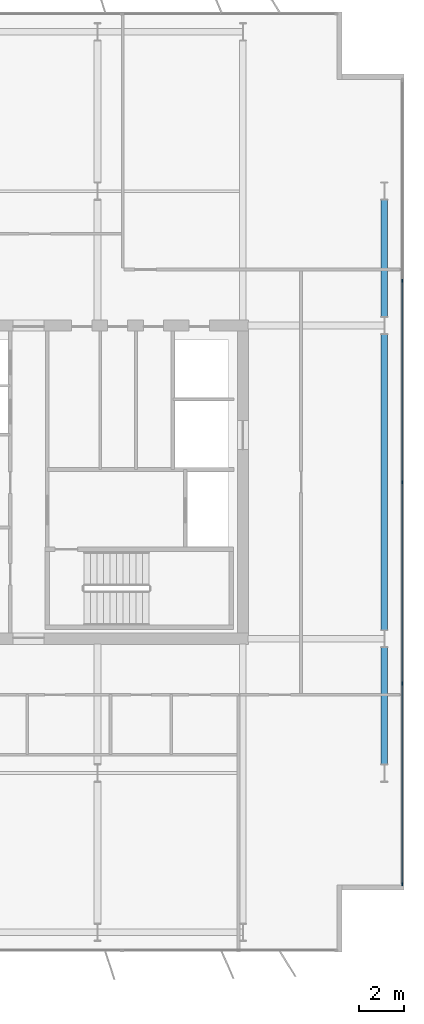
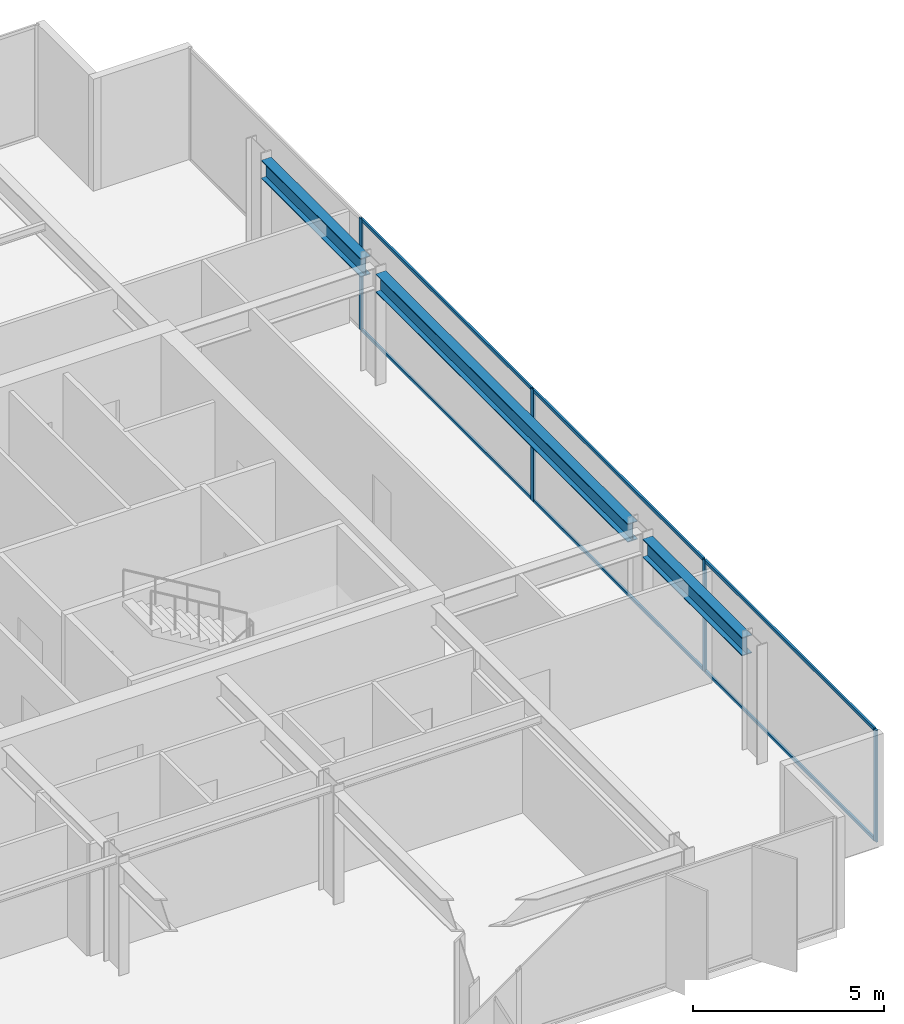
# One storey, part 14 of 23: 10 members, 3 beams, 1 element without a shape of its own.
"""IFC4 building model written with IfcOpenShell, lengths in metres."""

import ifcopenshell
import ifcopenshell.guid

model = None  # the IFC model being written
_history = None  # IfcOwnerHistory: only IFC2X3 demands one
_inside = {}  # id of a spatial element -> (the spatial element, [elements in it])
_under = {}  # id of a project, library or spatial element -> (it, [spatial elements below it])
_declared = {}  # id of a project -> (the project, [libraries it declares])
_typed = {}  # id of a type object -> (the type object, [elements of that type])
_made_of = {}  # id of a material, layer set ... -> (it, [elements and type objects made of it])


def new_model(schema):
    """Start an empty IFC model of exactly this schema.

    Asked for "IFC4X3", IfcOpenShell would pick the latest addendum, in which some entities
    have other attributes; the version numbers below select the first issue.
    IFC2X3 requires an IfcOwnerHistory on every rooted entity: one is made here for all.
    """
    global model, _history
    if schema == "IFC4X3":
        model = ifcopenshell.file(schema_version=(4, 3, 0, 0))
    else:
        model = ifcopenshell.file(schema=schema)
    _inside.clear()
    _under.clear()
    _declared.clear()
    _typed.clear()
    _made_of.clear()
    _history = None
    if model.schema == "IFC2X3":
        org = make("IfcOrganization", Name="unknown")
        user = make(
            "IfcPersonAndOrganization",
            ThePerson=make("IfcPerson", FamilyName="unknown"),
            TheOrganization=org,
        )
        app = make(
            "IfcApplication",
            ApplicationDeveloper=org,
            Version="unknown",
            ApplicationFullName="unknown",
            ApplicationIdentifier="unknown",
        )
        _history = make(
            "IfcOwnerHistory",
            OwningUser=user,
            OwningApplication=app,
            ChangeAction="ADDED",
            CreationDate=0,
        )
    return model


def make(cls, **values):
    """One entity of the class cls with the attributes given. An attribute that is None is left unset."""
    return model.create_entity(
        cls, **{name: value for name, value in values.items() if value is not None}
    )


def rooted(cls, **values):
    """An entity with a GlobalId (a new one), such as an element, a storey or a relation."""
    return make(cls, GlobalId=ifcopenshell.guid.new(), OwnerHistory=_history, **values)


def si_unit(unit_type, name, prefix=None):
    """IfcSIUnit, for example si_unit("LENGTHUNIT", "METRE", prefix="MILLI")."""
    return make("IfcSIUnit", UnitType=unit_type, Prefix=prefix, Name=name)


def assignment(units):
    """IfcUnitAssignment: the units of a project."""
    return None if units is None else make("IfcUnitAssignment", Units=units)


def point(xyz):
    """IfcCartesianPoint."""
    return None if xyz is None else make("IfcCartesianPoint", Coordinates=xyz)


def direction(xyz):
    """IfcDirection."""
    return None if xyz is None else make("IfcDirection", DirectionRatios=xyz)


def frame(location, z_axis=None, x_axis=None):
    """IfcAxis2Placement3D, a coordinate frame: its origin and axes. An axis left out is left unset."""
    return make(
        "IfcAxis2Placement3D",
        Location=point(location),
        Axis=direction(z_axis),
        RefDirection=direction(x_axis),
    )


def frame_2d(location, x_axis=None):
    """IfcAxis2Placement2D, a coordinate frame in the plane: its origin and x axis."""
    return make(
        "IfcAxis2Placement2D", Location=point(location), RefDirection=direction(x_axis)
    )


def origin():
    """The frame at (0, 0, 0) with its axes left unset."""
    return frame((0.0, 0.0, 0.0))


def origin_2d():
    """The frame at (0, 0) in the plane with its x axis left unset."""
    return frame_2d((0.0, 0.0))


def place(relative_to, where):
    """IfcLocalPlacement: puts the frame where relative to a parent placement (None: the world)."""
    return make(
        "IfcLocalPlacement", PlacementRelTo=relative_to, RelativePlacement=where
    )


def context(
    kind, dimensions, precision=None, world=None, true_north=None, identifier=None
):
    """IfcGeometricRepresentationContext, for example the 3D "Model" context."""
    return make(
        "IfcGeometricRepresentationContext",
        ContextIdentifier=identifier,
        ContextType=kind,
        CoordinateSpaceDimension=dimensions,
        Precision=precision,
        WorldCoordinateSystem=world,
        TrueNorth=true_north,
    )


def subcontext(parent, identifier, kind, view, scale=None):
    """IfcGeometricRepresentationSubContext, for example "Body" below "Model"."""
    return make(
        "IfcGeometricRepresentationSubContext",
        ContextIdentifier=identifier,
        ContextType=kind,
        ParentContext=parent,
        TargetScale=scale,
        TargetView=view,
    )


def project(units=None, contexts=None):
    """IfcProject with its units and contexts."""
    return rooted(
        "IfcProject",
        Name="project",
        RepresentationContexts=contexts,
        UnitsInContext=assignment(units),
    )


def spatial(cls, under=None, at=None, **own):
    """A site, building, storey or space (cls), placed at a placement, below another one or the project."""
    s = rooted(cls, ObjectPlacement=at, **own)
    if under is not None:
        _under.setdefault(under.id(), (under, []))[1].append(s)
    return s


def profile(cls, at=None, kind="AREA", **sizes):
    """A parametric profile (cls). Its sizes go by their IFC names, for example OverallWidth=200.0."""
    return make(cls, ProfileType=kind, Position=at, **sizes)


def rectangle(**sizes):
    """IfcRectangleProfileDef."""
    return profile("IfcRectangleProfileDef", **sizes)


def i_section(**sizes):
    """IfcIShapeProfileDef."""
    return profile("IfcIShapeProfileDef", **sizes)


def extrude(swept, where, along, depth):
    """IfcExtrudedAreaSolid: the profile swept, set in the frame where, extruded along a direction by depth."""
    return make(
        "IfcExtrudedAreaSolid",
        SweptArea=swept,
        Position=where,
        ExtrudedDirection=direction(along),
        Depth=depth,
    )


def shape(context_of_items, identifier, shape_type, items):
    """IfcShapeRepresentation: the items that make up one representation, for example the "Body"."""
    return make(
        "IfcShapeRepresentation",
        ContextOfItems=context_of_items,
        RepresentationIdentifier=identifier,
        RepresentationType=shape_type,
        Items=items,
    )


def material(Name=None, Category=None):
    """IfcMaterial."""
    return make("IfcMaterial", Name=Name, Category=Category)


def layer(
    of_material, thickness, ventilated=None, Name=None, Category=None, Priority=None
):
    """IfcMaterialLayer: one layer of a wall or slab, of a material (None: an air gap)."""
    return make(
        "IfcMaterialLayer",
        Material=of_material,
        LayerThickness=thickness,
        IsVentilated=ventilated,
        Name=Name,
        Category=Category,
        Priority=Priority,
    )


def layer_set(layers, Name=None):
    """IfcMaterialLayerSet."""
    return make("IfcMaterialLayerSet", MaterialLayers=layers, LayerSetName=Name)


def material_profile(
    of_material, cross_section, Name=None, Category=None, Priority=None
):
    """IfcMaterialProfile: a cross section and its material."""
    return make(
        "IfcMaterialProfile",
        Name=Name,
        Material=of_material,
        Profile=cross_section,
        Priority=Priority,
        Category=Category,
    )


def profile_set(profiles, Name=None, composite=None):
    """IfcMaterialProfileSet."""
    return make(
        "IfcMaterialProfileSet",
        Name=Name,
        MaterialProfiles=profiles,
        CompositeProfile=composite,
    )


def made_of(thing, what):
    """Note that an element or type object is made of a material, layer set ...; save() writes the relation."""
    if what is not None:
        _made_of.setdefault(what.id(), (what, []))[1].append(thing)
    return thing


def type_object(cls, material=None, **own):
    """A type object (cls), such as IfcWallType, which elements share."""
    return made_of(rooted(cls, **own), material)


def element(
    cls,
    number,
    at=None,
    inside=None,
    cuts=None,
    type_object=None,
    material=None,
    context=None,
    identifier="Body",
    shape_type=None,
    held_by="IfcProductDefinitionShape",
    body=None,
    shapes=None,
    **own,
):
    """One element of the class cls, such as IfcWall. Its Tag is "e" and its number.

    at: its placement. inside: the storey or other place that contains it. cuts: it is an
    opening in that element (IfcRelVoidsElement). A single representation is given by context,
    identifier, shape_type and body (its items); several are given by shapes. held_by: the class
    of the entity that holds the representations. save() writes the other relations.
    """
    e = rooted(cls, Tag="e%d" % number, ObjectPlacement=at, **own)
    if body is not None:
        shapes = [shape(context, identifier, shape_type, body)]
    if shapes is not None:
        e.Representation = make(held_by, Representations=shapes)
    if inside is not None:
        _inside.setdefault(inside.id(), (inside, []))[1].append(e)
    if cuts is not None:
        rooted(
            "IfcRelVoidsElement", RelatingBuildingElement=cuts, RelatedOpeningElement=e
        )
    if type_object is not None:
        _typed.setdefault(type_object.id(), (type_object, []))[1].append(e)
    return made_of(e, material)


def aggregate(whole, parts):
    """IfcRelAggregates: a whole, such as a stair, and the parts it consists of."""
    return rooted("IfcRelAggregates", RelatingObject=whole, RelatedObjects=parts)


def save(model, path):
    """Write the relations noted so far, then the file.

    IfcRelAggregates (storeys below a building ...), IfcRelContainedInSpatialStructure (elements
    in a storey), IfcRelDefinesByType, IfcRelAssociatesMaterial and IfcRelDeclares: one each for
    every whole, place, type object, material and project.
    """
    for whole, parts in _under.values():
        aggregate(whole, parts)
    for where, things in _inside.values():
        rooted(
            "IfcRelContainedInSpatialStructure",
            RelatedElements=things,
            RelatingStructure=where,
        )
    for kind, things in _typed.values():
        rooted("IfcRelDefinesByType", RelatedObjects=things, RelatingType=kind)
    for what, things in _made_of.values():
        rooted("IfcRelAssociatesMaterial", RelatedObjects=things, RelatingMaterial=what)
    for by, libraries in _declared.values():
        rooted("IfcRelDeclares", RelatingContext=by, RelatedDefinitions=libraries)
    model.write(path)


model = new_model("IFC4")

# Units and contexts
model_context = context("Model", 3, precision=1e-05, world=origin(), true_north=direction((0.0, 1.0)))
body_context = subcontext(model_context, "Body", "Model", "MODEL_VIEW")
ifc_project = project(units=[si_unit("LENGTHUNIT", "METRE"), si_unit("AREAUNIT", "SQUARE_METRE"), si_unit("VOLUMEUNIT", "CUBIC_METRE"), si_unit("PLANEANGLEUNIT", "RADIAN"), si_unit("MASSUNIT", "GRAM", prefix="KILO")], contexts=[model_context])

# Site, building, storey
site_placement = place(None, origin())
site = spatial("IfcSite", under=ifc_project, at=site_placement, CompositionType="ELEMENT")
building_placement = place(site_placement, origin())
building = spatial("IfcBuilding", under=site, at=building_placement, Name="Putna Gate Headquarters", CompositionType="ELEMENT")
storey_placement = place(building_placement, frame((0.0, 0.0, 217.60009765625)))
storey = spatial("IfcBuildingStorey", under=building, at=storey_placement, Name="L54", CompositionType="ELEMENT", Elevation=217.60009765625)

# Beams
ifc_material_1 = material(Name="Steel S355J2", Category="steel")
ifc_material_profile_1 = material_profile(ifc_material_1, i_section(OverallWidth=0.300048828125, OverallDepth=0.590087890625, WebThickness=0.012939453125, FlangeThickness=0.02490234375, at=origin_2d()), Name="Steel S355J2")
ifc_profile_set_1 = profile_set([ifc_material_profile_1], Name="Steel S355J2")
beam_type = type_object("IfcBeamType", Name="BM-SPAN-Z4-HEA600", PredefinedType="SPANDREL", material=ifc_profile_set_1)
beam_1_placement = place(storey_placement, frame((71.320068359375, 13.39501953125, 3.284912109375), z_axis=(0.0, 1.0, 0.0), x_axis=(-1.0, 0.0, 0.0)))
element("IfcBeam", 1, at=beam_1_placement, inside=storey, type_object=beam_type, Name="L54 E End Spandrel 1", PredefinedType="SPANDREL", context=body_context, shape_type="SweptSolid", body=[
    extrude(i_section(OverallWidth=0.300048828125, OverallDepth=0.590087890625, WebThickness=0.012939453125, FlangeThickness=0.02490234375, at=origin_2d()), origin(), (0.0, 0.0, 1.0), 5.2099609375),
])
beam_2_placement = place(storey_placement, frame((71.320068359375, 19.39501953125, 3.284912109375), z_axis=(0.0, 1.0, 0.0), x_axis=(-1.0, 0.0, 0.0)))
element("IfcBeam", 2, at=beam_2_placement, inside=storey, type_object=beam_type, Name="L54 E End Spandrel 2", PredefinedType="SPANDREL", context=body_context, shape_type="SweptSolid", body=[
    extrude(i_section(OverallWidth=0.300048828125, OverallDepth=0.590087890625, WebThickness=0.012939453125, FlangeThickness=0.02490234375, at=origin_2d()), origin(), (0.0, 0.0, 1.0), 13.2099609375),
])
beam_3_placement = place(storey_placement, frame((71.320068359375, 33.39501953125, 3.284912109375), z_axis=(0.0, 1.0, 0.0), x_axis=(-1.0, 0.0, 0.0)))
element("IfcBeam", 3, at=beam_3_placement, inside=storey, type_object=beam_type, Name="L54 E End Spandrel 3", PredefinedType="SPANDREL", context=body_context, shape_type="SweptSolid", body=[
    extrude(i_section(OverallWidth=0.300048828125, OverallDepth=0.590087890625, WebThickness=0.012939453125, FlangeThickness=0.02490234375, at=origin_2d()), origin(), (0.0, 0.0, 1.0), 5.2099609375),
])

# Curtain wall, members
ifc_material_2 = material(Name="Anodised bronze aluminium curtain wall", Category="aluminium")
ifc_layer = layer(ifc_material_2, 0.139892578125)
ifc_layer_set = layer_set([ifc_layer], Name="Anodised bronze aluminium curtain wall")
curtain_wall_type = type_object("IfcCurtainWallType", Name="CW-SYS-Z4", PredefinedType="USERDEFINED", material=ifc_layer_set)
curtain_wall_placement = place(storey_placement, origin())
curtain_wall = element("IfcCurtainWall", 4, at=curtain_wall_placement, inside=storey, type_object=curtain_wall_type, Name="L54 East Curtain Wall", ObjectType="STICK CURTAIN WALL", PredefinedType="USERDEFINED")
ifc_material_3 = material(Name="Anodised bronze aluminium EN AW-6060", Category="aluminium")
ifc_material_profile_2 = material_profile(ifc_material_3, rectangle(XDim=0.06005859375, YDim=0.139892578125, at=origin_2d()), Name="Anodised bronze aluminium EN AW-6060")
ifc_profile_set_2 = profile_set([ifc_material_profile_2], Name="Anodised bronze aluminium EN AW-6060")
member_type_1 = type_object("IfcMemberType", Name="MULL-CWM-4", PredefinedType="MULLION", material=ifc_profile_set_2)
member_1_placement = place(storey_placement, frame((72.1201171875, 8.030029296875, 0.0), z_axis=(0.0, 0.0, 1.0), x_axis=(-1.0, 0.0, 0.0)))
member_1 = element("IfcMember", 5, at=member_1_placement, type_object=member_type_1, Name="CWS-4 mullion 1", PredefinedType="MULLION", context=body_context, shape_type="SweptSolid", body=[
    extrude(rectangle(XDim=0.06005859375, YDim=0.139892578125, at=origin_2d()), origin(), (0.0, 0.0, 1.0), 3.579833984375),
])
member_2_placement = place(storey_placement, frame((72.1201171875, 17.0, 0.0), z_axis=(0.0, 0.0, 1.0), x_axis=(-1.0, 0.0, 0.0)))
member_2 = element("IfcMember", 6, at=member_2_placement, type_object=member_type_1, Name="CWS-4 mullion 2", PredefinedType="MULLION", context=body_context, shape_type="SweptSolid", body=[
    extrude(rectangle(XDim=0.06005859375, YDim=0.139892578125, at=origin_2d()), origin(), (0.0, 0.0, 1.0), 3.579833984375),
])
member_3_placement = place(storey_placement, frame((72.1201171875, 26.0, 0.0), z_axis=(0.0, 0.0, 1.0), x_axis=(-1.0, 0.0, 0.0)))
member_3 = element("IfcMember", 7, at=member_3_placement, type_object=member_type_1, Name="CWS-4 mullion 3", PredefinedType="MULLION", context=body_context, shape_type="SweptSolid", body=[
    extrude(rectangle(XDim=0.06005859375, YDim=0.139892578125, at=origin_2d()), origin(), (0.0, 0.0, 1.0), 3.579833984375),
])
member_4_placement = place(storey_placement, frame((72.1201171875, 35.0, 0.0), z_axis=(0.0, 0.0, 1.0), x_axis=(-1.0, 0.0, 0.0)))
member_4 = element("IfcMember", 8, at=member_4_placement, type_object=member_type_1, Name="CWS-4 mullion 4", PredefinedType="MULLION", context=body_context, shape_type="SweptSolid", body=[
    extrude(rectangle(XDim=0.06005859375, YDim=0.139892578125, at=origin_2d()), origin(), (0.0, 0.0, 1.0), 3.579833984375),
])
ifc_material_profile_3 = material_profile(ifc_material_3, rectangle(XDim=0.06005859375, YDim=0.10009765625, at=origin_2d()), Name="Anodised bronze aluminium EN AW-6060")
ifc_profile_set_3 = profile_set([ifc_material_profile_3], Name="Anodised bronze aluminium EN AW-6060")
member_type_2 = type_object("IfcMemberType", Name="TRAN-CWT-4", PredefinedType="USERDEFINED", material=ifc_profile_set_3)
member_5_placement = place(storey_placement, frame((72.1201171875, 8.06005859375, 0.02978515625), z_axis=(0.0, 1.0, 0.0), x_axis=(-1.0, 0.0, 0.0)))
member_5 = element("IfcMember", 9, at=member_5_placement, type_object=member_type_2, Name="CWS-4 transom 1.1", ObjectType="TRANSOM", PredefinedType="USERDEFINED", context=body_context, shape_type="SweptSolid", body=[
    extrude(rectangle(XDim=0.06005859375, YDim=0.10009765625, at=origin_2d()), origin(), (0.0, 0.0, 1.0), 8.909912109375),
])
member_6_placement = place(storey_placement, frame((72.1201171875, 8.06005859375, 3.5498046875), z_axis=(0.0, 1.0, 0.0), x_axis=(-1.0, 0.0, 0.0)))
member_6 = element("IfcMember", 10, at=member_6_placement, type_object=member_type_2, Name="CWS-4 transom 1.2", ObjectType="TRANSOM", PredefinedType="USERDEFINED", context=body_context, shape_type="SweptSolid", body=[
    extrude(rectangle(XDim=0.06005859375, YDim=0.10009765625, at=origin_2d()), origin(), (0.0, 0.0, 1.0), 8.909912109375),
])
member_7_placement = place(storey_placement, frame((72.1201171875, 17.030029296875, 0.02978515625), z_axis=(0.0, 1.0, 0.0), x_axis=(-1.0, 0.0, 0.0)))
member_7 = element("IfcMember", 11, at=member_7_placement, type_object=member_type_2, Name="CWS-4 transom 2.1", ObjectType="TRANSOM", PredefinedType="USERDEFINED", context=body_context, shape_type="SweptSolid", body=[
    extrude(rectangle(XDim=0.06005859375, YDim=0.10009765625, at=origin_2d()), origin(), (0.0, 0.0, 1.0), 8.93994140625),
])
member_8_placement = place(storey_placement, frame((72.1201171875, 17.030029296875, 3.5498046875), z_axis=(0.0, 1.0, 0.0), x_axis=(-1.0, 0.0, 0.0)))
member_8 = element("IfcMember", 12, at=member_8_placement, type_object=member_type_2, Name="CWS-4 transom 2.2", ObjectType="TRANSOM", PredefinedType="USERDEFINED", context=body_context, shape_type="SweptSolid", body=[
    extrude(rectangle(XDim=0.06005859375, YDim=0.10009765625, at=origin_2d()), origin(), (0.0, 0.0, 1.0), 8.93994140625),
])
member_9_placement = place(storey_placement, frame((72.1201171875, 26.030029296875, 0.02978515625), z_axis=(0.0, 1.0, 0.0), x_axis=(-1.0, 0.0, 0.0)))
member_9 = element("IfcMember", 13, at=member_9_placement, type_object=member_type_2, Name="CWS-4 transom 3.1", ObjectType="TRANSOM", PredefinedType="USERDEFINED", context=body_context, shape_type="SweptSolid", body=[
    extrude(rectangle(XDim=0.06005859375, YDim=0.10009765625, at=origin_2d()), origin(), (0.0, 0.0, 1.0), 8.93994140625),
])
member_10_placement = place(storey_placement, frame((72.1201171875, 26.030029296875, 3.5498046875), z_axis=(0.0, 1.0, 0.0), x_axis=(-1.0, 0.0, 0.0)))
member_10 = element("IfcMember", 14, at=member_10_placement, type_object=member_type_2, Name="CWS-4 transom 3.2", ObjectType="TRANSOM", PredefinedType="USERDEFINED", context=body_context, shape_type="SweptSolid", body=[
    extrude(rectangle(XDim=0.06005859375, YDim=0.10009765625, at=origin_2d()), origin(), (0.0, 0.0, 1.0), 8.93994140625),
])
aggregate(curtain_wall, [member_1, member_2, member_3, member_4, member_5, member_6, member_7, member_8, member_9, member_10])

save(model, "model.ifc")
